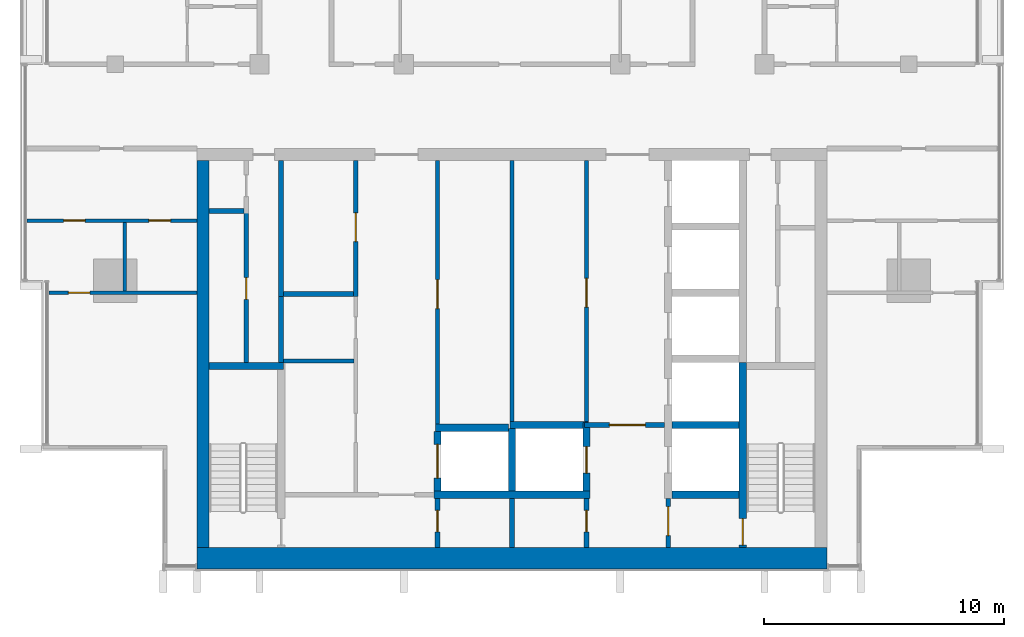
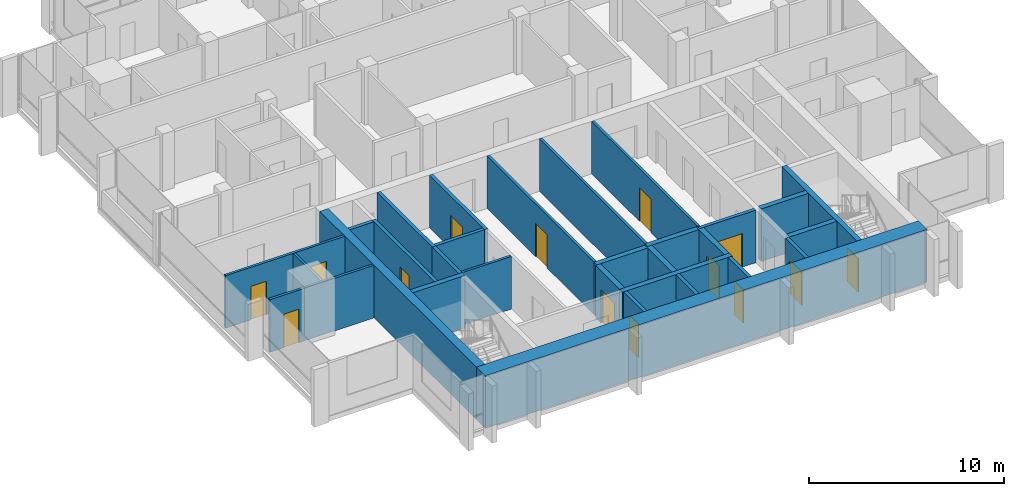
# One storey, part 7 of 16: 30 walls, 14 doors, 14 openings.
"""IFC4 building model written with IfcOpenShell, lengths in metres."""

import ifcopenshell
import ifcopenshell.guid

model = None  # the IFC model being written
_history = None  # IfcOwnerHistory: only IFC2X3 demands one
_inside = {}  # id of a spatial element -> (the spatial element, [elements in it])
_under = {}  # id of a project, library or spatial element -> (it, [spatial elements below it])
_declared = {}  # id of a project -> (the project, [libraries it declares])
_typed = {}  # id of a type object -> (the type object, [elements of that type])
_made_of = {}  # id of a material, layer set ... -> (it, [elements and type objects made of it])


def new_model(schema):
    """Start an empty IFC model of exactly this schema.

    Asked for "IFC4X3", IfcOpenShell would pick the latest addendum, in which some entities
    have other attributes; the version numbers below select the first issue.
    IFC2X3 requires an IfcOwnerHistory on every rooted entity: one is made here for all.
    """
    global model, _history
    if schema == "IFC4X3":
        model = ifcopenshell.file(schema_version=(4, 3, 0, 0))
    else:
        model = ifcopenshell.file(schema=schema)
    _inside.clear()
    _under.clear()
    _declared.clear()
    _typed.clear()
    _made_of.clear()
    _history = None
    if model.schema == "IFC2X3":
        org = make("IfcOrganization", Name="unknown")
        user = make(
            "IfcPersonAndOrganization",
            ThePerson=make("IfcPerson", FamilyName="unknown"),
            TheOrganization=org,
        )
        app = make(
            "IfcApplication",
            ApplicationDeveloper=org,
            Version="unknown",
            ApplicationFullName="unknown",
            ApplicationIdentifier="unknown",
        )
        _history = make(
            "IfcOwnerHistory",
            OwningUser=user,
            OwningApplication=app,
            ChangeAction="ADDED",
            CreationDate=0,
        )
    return model


def make(cls, **values):
    """One entity of the class cls with the attributes given. An attribute that is None is left unset."""
    return model.create_entity(
        cls, **{name: value for name, value in values.items() if value is not None}
    )


def rooted(cls, **values):
    """An entity with a GlobalId (a new one), such as an element, a storey or a relation."""
    return make(cls, GlobalId=ifcopenshell.guid.new(), OwnerHistory=_history, **values)


def si_unit(unit_type, name, prefix=None):
    """IfcSIUnit, for example si_unit("LENGTHUNIT", "METRE", prefix="MILLI")."""
    return make("IfcSIUnit", UnitType=unit_type, Prefix=prefix, Name=name)


def assignment(units):
    """IfcUnitAssignment: the units of a project."""
    return None if units is None else make("IfcUnitAssignment", Units=units)


def point(xyz):
    """IfcCartesianPoint."""
    return None if xyz is None else make("IfcCartesianPoint", Coordinates=xyz)


def direction(xyz):
    """IfcDirection."""
    return None if xyz is None else make("IfcDirection", DirectionRatios=xyz)


def frame(location, z_axis=None, x_axis=None):
    """IfcAxis2Placement3D, a coordinate frame: its origin and axes. An axis left out is left unset."""
    return make(
        "IfcAxis2Placement3D",
        Location=point(location),
        Axis=direction(z_axis),
        RefDirection=direction(x_axis),
    )


def frame_2d(location, x_axis=None):
    """IfcAxis2Placement2D, a coordinate frame in the plane: its origin and x axis."""
    return make(
        "IfcAxis2Placement2D", Location=point(location), RefDirection=direction(x_axis)
    )


def origin():
    """The frame at (0, 0, 0) with its axes left unset."""
    return frame((0.0, 0.0, 0.0))


def place(relative_to, where):
    """IfcLocalPlacement: puts the frame where relative to a parent placement (None: the world)."""
    return make(
        "IfcLocalPlacement", PlacementRelTo=relative_to, RelativePlacement=where
    )


def context(
    kind, dimensions, precision=None, world=None, true_north=None, identifier=None
):
    """IfcGeometricRepresentationContext, for example the 3D "Model" context."""
    return make(
        "IfcGeometricRepresentationContext",
        ContextIdentifier=identifier,
        ContextType=kind,
        CoordinateSpaceDimension=dimensions,
        Precision=precision,
        WorldCoordinateSystem=world,
        TrueNorth=true_north,
    )


def subcontext(parent, identifier, kind, view, scale=None):
    """IfcGeometricRepresentationSubContext, for example "Body" below "Model"."""
    return make(
        "IfcGeometricRepresentationSubContext",
        ContextIdentifier=identifier,
        ContextType=kind,
        ParentContext=parent,
        TargetScale=scale,
        TargetView=view,
    )


def project(units=None, contexts=None):
    """IfcProject with its units and contexts."""
    return rooted(
        "IfcProject",
        Name="project",
        RepresentationContexts=contexts,
        UnitsInContext=assignment(units),
    )


def spatial(cls, under=None, at=None, **own):
    """A site, building, storey or space (cls), placed at a placement, below another one or the project."""
    s = rooted(cls, ObjectPlacement=at, **own)
    if under is not None:
        _under.setdefault(under.id(), (under, []))[1].append(s)
    return s


def profile(cls, at=None, kind="AREA", **sizes):
    """A parametric profile (cls). Its sizes go by their IFC names, for example OverallWidth=200.0."""
    return make(cls, ProfileType=kind, Position=at, **sizes)


def rectangle(**sizes):
    """IfcRectangleProfileDef."""
    return profile("IfcRectangleProfileDef", **sizes)


def extrude(swept, where, along, depth):
    """IfcExtrudedAreaSolid: the profile swept, set in the frame where, extruded along a direction by depth."""
    return make(
        "IfcExtrudedAreaSolid",
        SweptArea=swept,
        Position=where,
        ExtrudedDirection=direction(along),
        Depth=depth,
    )


def shape(context_of_items, identifier, shape_type, items):
    """IfcShapeRepresentation: the items that make up one representation, for example the "Body"."""
    return make(
        "IfcShapeRepresentation",
        ContextOfItems=context_of_items,
        RepresentationIdentifier=identifier,
        RepresentationType=shape_type,
        Items=items,
    )


def material(Name=None, Category=None):
    """IfcMaterial."""
    return make("IfcMaterial", Name=Name, Category=Category)


def layer(
    of_material, thickness, ventilated=None, Name=None, Category=None, Priority=None
):
    """IfcMaterialLayer: one layer of a wall or slab, of a material (None: an air gap)."""
    return make(
        "IfcMaterialLayer",
        Material=of_material,
        LayerThickness=thickness,
        IsVentilated=ventilated,
        Name=Name,
        Category=Category,
        Priority=Priority,
    )


def layer_set(layers, Name=None):
    """IfcMaterialLayerSet."""
    return make("IfcMaterialLayerSet", MaterialLayers=layers, LayerSetName=Name)


def made_of(thing, what):
    """Note that an element or type object is made of a material, layer set ...; save() writes the relation."""
    if what is not None:
        _made_of.setdefault(what.id(), (what, []))[1].append(thing)
    return thing


def type_object(cls, material=None, **own):
    """A type object (cls), such as IfcWallType, which elements share."""
    return made_of(rooted(cls, **own), material)


def element(
    cls,
    number,
    at=None,
    inside=None,
    cuts=None,
    type_object=None,
    material=None,
    context=None,
    identifier="Body",
    shape_type=None,
    held_by="IfcProductDefinitionShape",
    body=None,
    shapes=None,
    **own,
):
    """One element of the class cls, such as IfcWall. Its Tag is "e" and its number.

    at: its placement. inside: the storey or other place that contains it. cuts: it is an
    opening in that element (IfcRelVoidsElement). A single representation is given by context,
    identifier, shape_type and body (its items); several are given by shapes. held_by: the class
    of the entity that holds the representations. save() writes the other relations.
    """
    e = rooted(cls, Tag="e%d" % number, ObjectPlacement=at, **own)
    if body is not None:
        shapes = [shape(context, identifier, shape_type, body)]
    if shapes is not None:
        e.Representation = make(held_by, Representations=shapes)
    if inside is not None:
        _inside.setdefault(inside.id(), (inside, []))[1].append(e)
    if cuts is not None:
        rooted(
            "IfcRelVoidsElement", RelatingBuildingElement=cuts, RelatedOpeningElement=e
        )
    if type_object is not None:
        _typed.setdefault(type_object.id(), (type_object, []))[1].append(e)
    return made_of(e, material)


def fill(opening, filler):
    """IfcRelFillsElement: the door or window that sits in an opening."""
    return rooted(
        "IfcRelFillsElement",
        RelatingOpeningElement=opening,
        RelatedBuildingElement=filler,
    )


def aggregate(whole, parts):
    """IfcRelAggregates: a whole, such as a stair, and the parts it consists of."""
    return rooted("IfcRelAggregates", RelatingObject=whole, RelatedObjects=parts)


def save(model, path):
    """Write the relations noted so far, then the file.

    IfcRelAggregates (storeys below a building ...), IfcRelContainedInSpatialStructure (elements
    in a storey), IfcRelDefinesByType, IfcRelAssociatesMaterial and IfcRelDeclares: one each for
    every whole, place, type object, material and project.
    """
    for whole, parts in _under.values():
        aggregate(whole, parts)
    for where, things in _inside.values():
        rooted(
            "IfcRelContainedInSpatialStructure",
            RelatedElements=things,
            RelatingStructure=where,
        )
    for kind, things in _typed.values():
        rooted("IfcRelDefinesByType", RelatedObjects=things, RelatingType=kind)
    for what, things in _made_of.values():
        rooted("IfcRelAssociatesMaterial", RelatedObjects=things, RelatingMaterial=what)
    for by, libraries in _declared.values():
        rooted("IfcRelDeclares", RelatingContext=by, RelatedDefinitions=libraries)
    model.write(path)


model = new_model("IFC4")

# Units and contexts
model_context = context("Model", 3, precision=1e-05, world=origin(), true_north=direction((0.0, 1.0)))
body_context = subcontext(model_context, "Body", "Model", "MODEL_VIEW")
ifc_project = project(units=[si_unit("LENGTHUNIT", "METRE"), si_unit("AREAUNIT", "SQUARE_METRE"), si_unit("VOLUMEUNIT", "CUBIC_METRE"), si_unit("PLANEANGLEUNIT", "RADIAN"), si_unit("MASSUNIT", "GRAM", prefix="KILO")], contexts=[model_context])

# Site, building, storey
site_placement = place(None, origin())
site = spatial("IfcSite", under=ifc_project, at=site_placement, CompositionType="ELEMENT")
building_placement = place(site_placement, origin())
building = spatial("IfcBuilding", under=site, at=building_placement, Name="Finial Court Residences", CompositionType="ELEMENT")
storey_placement = place(building_placement, frame((0.0, 0.0, 277.10009765625)))
storey = spatial("IfcBuildingStorey", under=building, at=storey_placement, Name="L70", CompositionType="ELEMENT", Elevation=277.10009765625)

# Walls
ifc_material_1 = material(Name="Concrete C50/60", Category="concrete")
ifc_layer_1 = layer(ifc_material_1, 0.5)
ifc_layer_set_1 = layer_set([ifc_layer_1], Name="Core outer wall 500 Concrete C50/60")
wall_type_1 = type_object("IfcWallType", Name="Core outer wall 500 Concrete C50/60", PredefinedType="SHEAR", material=ifc_layer_set_1)
wall_1_placement = place(storey_placement, frame((-12.85009765625, -24.60009765625, 0.0), z_axis=(0.0, 0.0, 1.0), x_axis=(0.0, 1.0, 0.0)))
element("IfcWall", 1, at=wall_1_placement, inside=storey, type_object=wall_type_1, Name="Core outer wall L70-03", PredefinedType="SHEAR", context=body_context, shape_type="SweptSolid", body=[
    extrude(rectangle(XDim=16.10009765625, YDim=0.5, at=frame_2d((8.050048828125, 0.0))), origin(), (0.0, 0.0, 1.0), 3.2998046875),
])
ifc_material_2 = material(Name="Fire-rated gypsum board partition")
ifc_layer_2 = layer(ifc_material_2, 0.14990234375)
ifc_layer_set_2 = layer_set([ifc_layer_2], Name="Core room partition 150 EI 60")
wall_type_2 = type_object("IfcWallType", Name="Core room partition 150 EI 60", PredefinedType="PARTITIONING", material=ifc_layer_set_2)
wall_2_placement = place(storey_placement, frame((-9.5, -16.840087890625, 0.0), z_axis=(0.0, 0.0, 1.0), x_axis=(1.0, 0.0, 0.0)))
element("IfcWall", 2, at=wall_2_placement, inside=storey, type_object=wall_type_2, Name="Core partition L70-10", PredefinedType="PARTITIONING", context=body_context, shape_type="SweptSolid", body=[
    extrude(rectangle(XDim=2.925048828125, YDim=0.14990234375, at=frame_2d((1.46240234375, 0.0))), origin(), (0.0, 0.0, 1.0), 3.2998046875),
])

# Wall, opening, door
wall_3_placement = place(storey_placement, frame((-3.10009765625, -8.5, 0.0), z_axis=(0.0, 0.0, 1.0), x_axis=(0.0, -1.0, 0.0)))
wall_3 = element("IfcWall", 3, at=wall_3_placement, inside=storey, type_object=wall_type_2, Name="Core partition L70-26", PredefinedType="PARTITIONING", context=body_context, shape_type="SweptSolid", body=[
    extrude(rectangle(XDim=10.969970703125, YDim=0.14990234375, at=frame_2d((5.48486328125, 0.0))), origin(), (0.0, 0.0, 1.0), 3.2998046875),
])
opening_1_placement = place(wall_3_placement, frame((4.9599609375, 0.0, 0.0)))
opening_1 = element("IfcOpeningElement", 4, at=opening_1_placement, cuts=wall_3, Name="Opening L70-C17", PredefinedType="OPENING", context=body_context, shape_type="SweptSolid", body=[
    extrude(rectangle(XDim=1.199951171875, YDim=2.10009765625, at=frame_2d((0.60009765625, 1.050048828125))), frame((0.0, 0.0849609375, 0.0), z_axis=(0.0, -1.0, 0.0), x_axis=(1.0, 0.0, 0.0)), (0.0, 0.0, 1.0), 0.169921875),
])
ifc_material_3 = material(Name="Steel fire door", Category="steel")
door_type_1 = type_object("IfcDoorType", Name="Core room door 1200 x 2100 EI 60", OperationType="NOTDEFINED", PredefinedType="DOOR", material=ifc_material_3)
door_1_placement = place(opening_1_placement, origin())
door_1 = element("IfcDoor", 5, at=door_1_placement, inside=storey, type_object=door_type_1, Name="Core room door L70-C17", OperationType="SINGLE_SWING_RIGHT", OverallHeight=2.10009765625, OverallWidth=1.199951171875, PredefinedType="DOOR", context=body_context, shape_type="SweptSolid", body=[
    extrude(rectangle(XDim=1.199951171875, YDim=2.10009765625, at=frame_2d((0.60009765625, 1.050048828125))), frame((0.0, 0.02490234375, 0.0), z_axis=(0.0, -1.0, 0.0), x_axis=(1.0, 0.0, 0.0)), (0.0, 0.0, 1.0), 0.050048828125),
])
fill(opening_1, door_1)

# Wall
wall_4_placement = place(storey_placement, frame((0.0, -19.35009765625, 0.0), z_axis=(0.0, 0.0, 1.0), x_axis=(0.0, 1.0, 0.0)))
element("IfcWall", 6, at=wall_4_placement, inside=storey, type_object=wall_type_2, Name="Core partition L70-29", PredefinedType="PARTITIONING", context=body_context, shape_type="SweptSolid", body=[
    extrude(rectangle(XDim=10.85009765625, YDim=0.14990234375, at=frame_2d((5.425048828125, 0.0))), origin(), (0.0, 0.0, 1.0), 3.2998046875),
])

# Wall, opening, door
wall_5_placement = place(storey_placement, frame((3.10009765625, -19.39990234375, 0.0), z_axis=(0.0, 0.0, 1.0), x_axis=(0.0, 1.0, 0.0)))
wall_5 = element("IfcWall", 7, at=wall_5_placement, inside=storey, type_object=wall_type_2, Name="Core partition L70-32", PredefinedType="PARTITIONING", context=body_context, shape_type="SweptSolid", body=[
    extrude(rectangle(XDim=10.89990234375, YDim=0.14990234375, at=frame_2d((5.449951171875, 0.0))), origin(), (0.0, 0.0, 1.0), 3.2998046875),
])
opening_2_placement = place(wall_5_placement, frame((4.800048828125, 0.0, 0.0)))
opening_2 = element("IfcOpeningElement", 8, at=opening_2_placement, cuts=wall_5, Name="Opening L70-C18", PredefinedType="OPENING", context=body_context, shape_type="SweptSolid", body=[
    extrude(rectangle(XDim=1.199951171875, YDim=2.10009765625, at=frame_2d((0.60009765625, 1.050048828125))), frame((0.0, 0.0849609375, 0.0), z_axis=(0.0, -1.0, 0.0), x_axis=(1.0, 0.0, 0.0)), (0.0, 0.0, 1.0), 0.169921875),
])
door_2_placement = place(opening_2_placement, origin())
door_2 = element("IfcDoor", 9, at=door_2_placement, inside=storey, type_object=door_type_1, Name="Core room door L70-C18", OperationType="SINGLE_SWING_LEFT", OverallHeight=2.10009765625, OverallWidth=1.199951171875, PredefinedType="DOOR", context=body_context, shape_type="SweptSolid", body=[
    extrude(rectangle(XDim=1.199951171875, YDim=2.10009765625, at=frame_2d((0.60009765625, 1.050048828125))), frame((0.0, 0.02490234375, 0.0), z_axis=(0.0, -1.0, 0.0), x_axis=(1.0, 0.0, 0.0)), (0.0, 0.0, 1.0), 0.050048828125),
])
fill(opening_2, door_2)

# Wall
ifc_layer_3 = layer(ifc_material_1, 0.89990234375)
ifc_layer_set_3 = layer_set([ifc_layer_3], Name="Core south facade wall 900 Concrete C50/60")
wall_type_3 = type_object("IfcWallType", Name="Core south facade wall 900 Concrete C50/60", PredefinedType="SHEAR", material=ifc_layer_set_3)
wall_6_placement = place(storey_placement, frame((-13.10009765625, -25.050048828125, 0.0), z_axis=(0.0, 0.0, 1.0), x_axis=(1.0, 0.0, 0.0)))
element("IfcWall", 10, at=wall_6_placement, inside=storey, type_object=wall_type_3, Name="Core outer wall L70-01", PredefinedType="SHEAR", context=body_context, shape_type="SweptSolid", body=[
    extrude(rectangle(XDim=26.2001953125, YDim=0.89990234375, at=frame_2d((13.10009765625, 0.0))), origin(), (0.0, 0.0, 1.0), 3.2998046875),
])

# Wall, opening, door
ifc_layer_4 = layer(ifc_material_2, 0.199951171875)
ifc_layer_set_4 = layer_set([ifc_layer_4], Name="Firefighting lobby wall 200 EI 120")
wall_type_4 = type_object("IfcWallType", Name="Firefighting lobby wall 200 EI 120", PredefinedType="PARTITIONING", material=ifc_layer_set_4)
wall_7_placement = place(storey_placement, frame((6.35009765625, -19.5, 0.0), z_axis=(0.0, 0.0, 1.0), x_axis=(-1.0, 0.0, 0.0)))
wall_7 = element("IfcWall", 11, at=wall_7_placement, inside=storey, type_object=wall_type_4, Name="Core partition L70-06", PredefinedType="PARTITIONING", context=body_context, shape_type="SweptSolid", body=[
    extrude(rectangle(XDim=3.3251953125, YDim=0.199951171875, at=frame_2d((1.66259765625, 0.0))), origin(), (0.0, 0.0, 1.0), 3.2998046875),
])
opening_3_placement = place(wall_7_placement, frame((0.800048828125, 0.0, 0.0)))
opening_3 = element("IfcOpeningElement", 12, at=opening_3_placement, cuts=wall_7, Name="Opening L70-C02", PredefinedType="OPENING", context=body_context, shape_type="SweptSolid", body=[
    extrude(rectangle(XDim=1.5, YDim=2.10009765625, at=frame_2d((0.75, 1.050048828125))), frame((0.0, 0.10986328125, 0.0), z_axis=(0.0, -1.0, 0.0), x_axis=(1.0, 0.0, 0.0)), (0.0, 0.0, 1.0), 0.219970703125),
])
door_type_2 = type_object("IfcDoorType", Name="Firefighting lobby door 1500 x 2100 EI 90", OperationType="DOUBLE_DOOR_SINGLE_SWING", PredefinedType="DOOR", material=ifc_material_3)
door_3_placement = place(opening_3_placement, origin())
door_3 = element("IfcDoor", 13, at=door_3_placement, inside=storey, type_object=door_type_2, Name="Firefighting lobby door L70-C02", OperationType="DOUBLE_DOOR_SINGLE_SWING", OverallHeight=2.10009765625, OverallWidth=1.5, PredefinedType="DOOR", context=body_context, shape_type="SweptSolid", body=[
    extrude(rectangle(XDim=1.5, YDim=2.10009765625, at=frame_2d((0.75, 1.050048828125))), frame((0.0, 0.02490234375, 0.0), z_axis=(0.0, -1.0, 0.0), x_axis=(1.0, 0.0, 0.0)), (0.0, 0.0, 1.0), 0.050048828125),
])
fill(opening_3, door_3)

wall_8_placement = place(storey_placement, frame((3.10009765625, -24.60009765625, 0.0), z_axis=(0.0, 0.0, 1.0), x_axis=(0.0, 1.0, 0.0)))
wall_8 = element("IfcWall", 14, at=wall_8_placement, inside=storey, type_object=wall_type_4, Name="Core partition L70-30", PredefinedType="PARTITIONING", context=body_context, shape_type="SweptSolid", body=[
    extrude(rectangle(XDim=2.050048828125, YDim=0.199951171875, at=frame_2d((1.02490234375, 0.0))), origin(), (0.0, 0.0, 1.0), 3.2998046875),
])
opening_4_placement = place(wall_8_placement, frame((0.64990234375, 0.0, 0.0)))
opening_4 = element("IfcOpeningElement", 15, at=opening_4_placement, cuts=wall_8, Name="Opening L70-C06", PredefinedType="OPENING", context=body_context, shape_type="SweptSolid", body=[
    extrude(rectangle(XDim=0.89990234375, YDim=2.10009765625, at=frame_2d((0.449951171875, 1.050048828125))), frame((0.0, 0.10986328125, 0.0), z_axis=(0.0, -1.0, 0.0), x_axis=(1.0, 0.0, 0.0)), (0.0, 0.0, 1.0), 0.219970703125),
])
door_type_3 = type_object("IfcDoorType", Name="Riser room door 900 x 2100 EI 90", OperationType="NOTDEFINED", PredefinedType="DOOR", material=ifc_material_3)
door_4_placement = place(opening_4_placement, origin())
door_4 = element("IfcDoor", 16, at=door_4_placement, inside=storey, type_object=door_type_3, Name="Riser room door L70-C06", OperationType="SINGLE_SWING_LEFT", OverallHeight=2.10009765625, OverallWidth=0.89990234375, PredefinedType="DOOR", context=body_context, shape_type="SweptSolid", body=[
    extrude(rectangle(XDim=0.89990234375, YDim=2.10009765625, at=frame_2d((0.449951171875, 1.050048828125))), frame((0.0, 0.02490234375, 0.0), z_axis=(0.0, -1.0, 0.0), x_axis=(1.0, 0.0, 0.0)), (0.0, 0.0, 1.0), 0.050048828125),
])
fill(opening_4, door_4)

wall_9_placement = place(storey_placement, frame((6.5, -22.550048828125, 0.0), z_axis=(0.0, 0.0, 1.0), x_axis=(0.0, -1.0, 0.0)))
wall_9 = element("IfcWall", 17, at=wall_9_placement, inside=storey, type_object=wall_type_4, Name="Core partition L70-33", PredefinedType="PARTITIONING", context=body_context, shape_type="SweptSolid", body=[
    extrude(rectangle(XDim=2.050048828125, YDim=0.199951171875, at=frame_2d((1.02490234375, 0.0))), origin(), (0.0, 0.0, 1.0), 3.2998046875),
])
opening_5_placement = place(wall_9_placement, frame((0.35009765625, 0.0, 0.0)))
opening_5 = element("IfcOpeningElement", 18, at=opening_5_placement, cuts=wall_9, Name="Opening L70-C01", PredefinedType="OPENING", context=body_context, shape_type="SweptSolid", body=[
    extrude(rectangle(XDim=1.199951171875, YDim=2.10009765625, at=frame_2d((0.60009765625, 1.050048828125))), frame((0.0, 0.10986328125, 0.0), z_axis=(0.0, -1.0, 0.0), x_axis=(1.0, 0.0, 0.0)), (0.0, 0.0, 1.0), 0.219970703125),
])
door_type_4 = type_object("IfcDoorType", Name="Firefighting lobby door 1200 x 2100 EI 90", OperationType="NOTDEFINED", PredefinedType="DOOR", material=ifc_material_3)
door_5_placement = place(opening_5_placement, origin())
door_5 = element("IfcDoor", 19, at=door_5_placement, inside=storey, type_object=door_type_4, Name="Firefighting lobby door L70-C01", OperationType="SINGLE_SWING_RIGHT", OverallHeight=2.10009765625, OverallWidth=1.199951171875, PredefinedType="DOOR", context=body_context, shape_type="SweptSolid", body=[
    extrude(rectangle(XDim=1.199951171875, YDim=2.10009765625, at=frame_2d((0.60009765625, 1.050048828125))), frame((0.0, 0.02490234375, 0.0), z_axis=(0.0, -1.0, 0.0), x_axis=(1.0, 0.0, 0.0)), (0.0, 0.0, 1.0), 0.050048828125),
])
fill(opening_5, door_5)

ifc_material_4 = material(Name="Moisture-resistant gypsum board")
ifc_layer_5 = layer(ifc_material_4, 0.012451171875)
ifc_material_5 = material(Name="Mineral wool in light-gauge frame")
ifc_layer_6 = layer(ifc_material_5, 0.125)
ifc_layer_7 = layer(ifc_material_4, 0.012451171875)
ifc_layer_set_5 = layer_set([ifc_layer_5, ifc_layer_6, ifc_layer_7], Name="Gypsum board wet-area partition 150")
wall_type_5 = type_object("IfcWallType", Name="Gypsum board wet-area partition 150", PredefinedType="PARTITIONING", material=ifc_layer_set_5)
wall_10_placement = place(storey_placement, frame((-19.262451171875, -14.0, 0.0), z_axis=(0.0, 0.0, 1.0), x_axis=(1.0, 0.0, 0.0)))
wall_10 = element("IfcWall", 20, at=wall_10_placement, inside=storey, type_object=wall_type_5, Name="Partition L70-000", PredefinedType="PARTITIONING", context=body_context, shape_type="SweptSolid", body=[
    extrude(rectangle(XDim=6.162353515625, YDim=0.14990234375, at=frame_2d((3.0810546875, 0.0))), origin(), (0.0, 0.0, 1.0), 3.2998046875),
])
opening_6_placement = place(wall_10_placement, frame((0.81201171875, 0.0, 0.0)))
opening_6 = element("IfcOpeningElement", 21, at=opening_6_placement, cuts=wall_10, Name="Opening L70-D001", PredefinedType="OPENING", context=body_context, shape_type="SweptSolid", body=[
    extrude(rectangle(XDim=0.89990234375, YDim=2.10009765625, at=frame_2d((0.449951171875, 1.050048828125))), frame((0.0, 0.0849609375, 0.0), z_axis=(0.0, -1.0, 0.0), x_axis=(1.0, 0.0, 0.0)), (0.0, 0.0, 1.0), 0.169921875),
])
ifc_material_6 = material(Name="Timber door leaf in timber frame", Category="wood")
door_type_5 = type_object("IfcDoorType", Name="Door set 900 x 2100", OperationType="SINGLE_SWING_LEFT", PredefinedType="DOOR", material=ifc_material_6)
door_6_placement = place(opening_6_placement, origin())
door_6 = element("IfcDoor", 22, at=door_6_placement, inside=storey, type_object=door_type_5, Name="Door L70-D001", OperationType="SINGLE_SWING_LEFT", OverallHeight=2.10009765625, OverallWidth=0.89990234375, PredefinedType="DOOR", context=body_context, shape_type="SweptSolid", body=[
    extrude(rectangle(XDim=0.89990234375, YDim=2.10009765625, at=frame_2d((0.449951171875, 1.050048828125))), frame((0.0, 0.02490234375, 0.0), z_axis=(0.0, -1.0, 0.0), x_axis=(1.0, 0.0, 0.0)), (0.0, 0.0, 1.0), 0.050048828125),
])
fill(opening_6, door_6)

# Wall, openings, doors
wall_11_placement = place(storey_placement, frame((-20.16259765625, -11.0, 0.0), z_axis=(0.0, 0.0, 1.0), x_axis=(1.0, 0.0, 0.0)))
wall_11 = element("IfcWall", 23, at=wall_11_placement, inside=storey, type_object=wall_type_5, Name="Partition L70-002", PredefinedType="PARTITIONING", context=body_context, shape_type="SweptSolid", body=[
    extrude(rectangle(XDim=7.0625, YDim=0.14990234375, at=frame_2d((3.53125, 0.0))), origin(), (0.0, 0.0, 1.0), 3.2998046875),
])
opening_7_placement = place(wall_11_placement, frame((1.512939453125, 0.0, 0.0)))
opening_7 = element("IfcOpeningElement", 24, at=opening_7_placement, cuts=wall_11, Name="Opening L70-D003", PredefinedType="OPENING", context=body_context, shape_type="SweptSolid", body=[
    extrude(rectangle(XDim=0.89990234375, YDim=2.10009765625, at=frame_2d((0.449951171875, 1.050048828125))), frame((0.0, 0.0849609375, 0.0), z_axis=(0.0, -1.0, 0.0), x_axis=(1.0, 0.0, 0.0)), (0.0, 0.0, 1.0), 0.169921875),
])
opening_8_placement = place(wall_11_placement, frame((5.06298828125, 0.0, 0.0)))
opening_8 = element("IfcOpeningElement", 25, at=opening_8_placement, cuts=wall_11, Name="Opening L70-D004", PredefinedType="OPENING", context=body_context, shape_type="SweptSolid", body=[
    extrude(rectangle(XDim=0.89990234375, YDim=2.10009765625, at=frame_2d((0.449951171875, 1.050048828125))), frame((0.0, 0.0849609375, 0.0), z_axis=(0.0, -1.0, 0.0), x_axis=(1.0, 0.0, 0.0)), (0.0, 0.0, 1.0), 0.169921875),
])
door_7_placement = place(opening_7_placement, origin())
door_7 = element("IfcDoor", 26, at=door_7_placement, inside=storey, type_object=door_type_5, Name="Door L70-D003", OperationType="SINGLE_SWING_LEFT", OverallHeight=2.10009765625, OverallWidth=0.89990234375, PredefinedType="DOOR", context=body_context, shape_type="SweptSolid", body=[
    extrude(rectangle(XDim=0.89990234375, YDim=2.10009765625, at=frame_2d((0.449951171875, 1.050048828125))), frame((0.0, 0.02490234375, 0.0), z_axis=(0.0, -1.0, 0.0), x_axis=(1.0, 0.0, 0.0)), (0.0, 0.0, 1.0), 0.050048828125),
])
fill(opening_7, door_7)
door_8_placement = place(opening_8_placement, origin())
door_8 = element("IfcDoor", 27, at=door_8_placement, inside=storey, type_object=door_type_5, Name="Door L70-D004", OperationType="SINGLE_SWING_RIGHT", OverallHeight=2.10009765625, OverallWidth=0.89990234375, PredefinedType="DOOR", context=body_context, shape_type="SweptSolid", body=[
    extrude(rectangle(XDim=0.89990234375, YDim=2.10009765625, at=frame_2d((0.449951171875, 1.050048828125))), frame((0.0, 0.02490234375, 0.0), z_axis=(0.0, -1.0, 0.0), x_axis=(1.0, 0.0, 0.0)), (0.0, 0.0, 1.0), 0.050048828125),
])
fill(opening_8, door_8)

# Walls
wall_12_placement = place(storey_placement, frame((-16.10009765625, -13.925048828125, 0.0), z_axis=(0.0, 0.0, 1.0), x_axis=(0.0, 1.0, 0.0)))
element("IfcWall", 28, at=wall_12_placement, inside=storey, type_object=wall_type_5, Name="Partition L70-031", PredefinedType="PARTITIONING", context=body_context, shape_type="SweptSolid", body=[
    extrude(rectangle(XDim=2.85009765625, YDim=0.14990234375, at=frame_2d((1.425048828125, 0.0))), origin(), (0.0, 0.0, 1.0), 3.2998046875),
])
ifc_layer_8 = layer(ifc_material_1, 0.300048828125)
ifc_layer_set_6 = layer_set([ifc_layer_8], Name="Lift shaft and stair wall 300 Concrete C50/60")
wall_type_6 = type_object("IfcWallType", Name="Lift shaft and stair wall 300 Concrete C50/60", PredefinedType="SHEAR", material=ifc_layer_set_6)
wall_13_placement = place(storey_placement, frame((-3.25, -22.39990234375, 0.0), z_axis=(0.0, 0.0, 1.0), x_axis=(1.0, 0.0, 0.0)))
element("IfcWall", 29, at=wall_13_placement, inside=storey, type_object=wall_type_6, Name="Core wall L70-02", PredefinedType="SHEAR", context=body_context, shape_type="SweptSolid", body=[
    extrude(rectangle(XDim=6.5, YDim=0.300048828125, at=frame_2d((3.25, 0.0))), origin(), (0.0, 0.0, 1.0), 3.2998046875),
])
wall_14_placement = place(storey_placement, frame((6.64990234375, -22.39990234375, 0.0), z_axis=(0.0, 0.0, 1.0), x_axis=(1.0, 0.0, 0.0)))
element("IfcWall", 30, at=wall_14_placement, inside=storey, type_object=wall_type_6, Name="Core wall L70-03", PredefinedType="SHEAR", context=body_context, shape_type="SweptSolid", body=[
    extrude(rectangle(XDim=2.800048828125, YDim=0.300048828125, at=frame_2d((1.39990234375, 0.0))), origin(), (0.0, 0.0, 1.0), 3.2998046875),
])
wall_15_placement = place(storey_placement, frame((-3.175048828125, -19.6201171875, 0.0), z_axis=(0.0, 0.0, 1.0), x_axis=(1.0, 0.0, 0.0)))
element("IfcWall", 31, at=wall_15_placement, inside=storey, type_object=wall_type_6, Name="Core wall L70-04", PredefinedType="SHEAR", context=body_context, shape_type="SweptSolid", body=[
    extrude(rectangle(XDim=3.025146484375, YDim=0.300048828125, at=frame_2d((1.5126953125, 0.0))), origin(), (0.0, 0.0, 1.0), 3.2998046875),
])
wall_16_placement = place(storey_placement, frame((-0.074951171875, -19.5, 0.0), z_axis=(0.0, 0.0, 1.0), x_axis=(1.0, 0.0, 0.0)))
element("IfcWall", 32, at=wall_16_placement, inside=storey, type_object=wall_type_6, Name="Core wall L70-05", PredefinedType="SHEAR", context=body_context, shape_type="SweptSolid", body=[
    extrude(rectangle(XDim=3.25, YDim=0.300048828125, at=frame_2d((1.625, 0.0))), origin(), (0.0, 0.0, 1.0), 3.2998046875),
])
wall_17_placement = place(storey_placement, frame((6.64990234375, -19.5, 0.0), z_axis=(0.0, 0.0, 1.0), x_axis=(1.0, 0.0, 0.0)))
element("IfcWall", 33, at=wall_17_placement, inside=storey, type_object=wall_type_6, Name="Core wall L70-07", PredefinedType="SHEAR", context=body_context, shape_type="SweptSolid", body=[
    extrude(rectangle(XDim=2.800048828125, YDim=0.300048828125, at=frame_2d((1.39990234375, 0.0))), origin(), (0.0, 0.0, 1.0), 3.2998046875),
])
wall_18_placement = place(storey_placement, frame((-12.60009765625, -17.050048828125, 0.0), z_axis=(0.0, 0.0, 1.0), x_axis=(1.0, 0.0, 0.0)))
element("IfcWall", 34, at=wall_18_placement, inside=storey, type_object=wall_type_6, Name="Core wall L70-08", PredefinedType="SHEAR", context=body_context, shape_type="SweptSolid", body=[
    extrude(rectangle(XDim=3.10009765625, YDim=0.300048828125, at=frame_2d((1.550048828125, 0.0))), origin(), (0.0, 0.0, 1.0), 3.2998046875),
])

# Wall, opening, door
wall_19_placement = place(storey_placement, frame((-3.10009765625, -22.25, 0.0), z_axis=(0.0, 0.0, 1.0), x_axis=(0.0, 1.0, 0.0)))
wall_19 = element("IfcWall", 35, at=wall_19_placement, inside=storey, type_object=wall_type_6, Name="Core wall L70-25", PredefinedType="SHEAR", context=body_context, shape_type="SweptSolid", body=[
    extrude(rectangle(XDim=2.47998046875, YDim=0.300048828125, at=frame_2d((1.239990234375, 0.0))), origin(), (0.0, 0.0, 1.0), 3.2998046875),
])
opening_9_placement = place(wall_19_placement, frame((0.5400390625, 0.0, 0.0)))
opening_9 = element("IfcOpeningElement", 36, at=opening_9_placement, cuts=wall_19, Name="Opening L70-LD07", PredefinedType="OPENING", context=body_context, shape_type="SweptSolid", body=[
    extrude(rectangle(XDim=1.39990234375, YDim=2.10009765625, at=frame_2d((0.699951171875, 1.050048828125))), frame((0.0, 0.159912109375, 0.0), z_axis=(0.0, -1.0, 0.0), x_axis=(1.0, 0.0, 0.0)), (0.0, 0.0, 1.0), 0.320068359375),
])
ifc_material_7 = material(Name="Stainless steel lift door", Category="steel")
door_type_6 = type_object("IfcDoorType", Name="Lift landing door 1400 x 2100 EI 90", OperationType="DOUBLE_DOOR_SLIDING", PredefinedType="DOOR", material=ifc_material_7)
door_9_placement = place(opening_9_placement, origin())
door_9 = element("IfcDoor", 37, at=door_9_placement, inside=storey, type_object=door_type_6, Name="Lift landing door SV1 L70", OperationType="DOUBLE_DOOR_SLIDING", OverallHeight=2.10009765625, OverallWidth=1.39990234375, PredefinedType="DOOR", context=body_context, shape_type="SweptSolid", body=[
    extrude(rectangle(XDim=1.39990234375, YDim=2.10009765625, at=frame_2d((0.699951171875, 1.050048828125))), frame((0.0, 0.02490234375, 0.0), z_axis=(0.0, -1.0, 0.0), x_axis=(1.0, 0.0, 0.0)), (0.0, 0.0, 1.0), 0.050048828125),
])
fill(opening_9, door_9)

# Wall
wall_20_placement = place(storey_placement, frame((0.0, -22.25, 0.0), z_axis=(0.0, 0.0, 1.0), x_axis=(0.0, 1.0, 0.0)))
element("IfcWall", 38, at=wall_20_placement, inside=storey, type_object=wall_type_6, Name="Core wall L70-28", PredefinedType="SHEAR", context=body_context, shape_type="SweptSolid", body=[
    extrude(rectangle(XDim=2.60009765625, YDim=0.300048828125, at=frame_2d((1.300048828125, 0.0))), origin(), (0.0, 0.0, 1.0), 3.2998046875),
])

# Wall, opening, door
wall_21_placement = place(storey_placement, frame((3.10009765625, -22.25, 0.0), z_axis=(0.0, 0.0, 1.0), x_axis=(0.0, 1.0, 0.0)))
wall_21 = element("IfcWall", 39, at=wall_21_placement, inside=storey, type_object=wall_type_6, Name="Core wall L70-31", PredefinedType="SHEAR", context=body_context, shape_type="SweptSolid", body=[
    extrude(rectangle(XDim=2.85009765625, YDim=0.300048828125, at=frame_2d((1.425048828125, 0.0))), origin(), (0.0, 0.0, 1.0), 3.2998046875),
])
opening_10_placement = place(wall_21_placement, frame((0.75, 0.0, 0.0)))
opening_10 = element("IfcOpeningElement", 40, at=opening_10_placement, cuts=wall_21, Name="Opening L70-LD01", PredefinedType="OPENING", context=body_context, shape_type="SweptSolid", body=[
    extrude(rectangle(XDim=1.10009765625, YDim=2.10009765625, at=frame_2d((0.550048828125, 1.050048828125))), frame((0.0, 0.159912109375, 0.0), z_axis=(0.0, -1.0, 0.0), x_axis=(1.0, 0.0, 0.0)), (0.0, 0.0, 1.0), 0.320068359375),
])
door_type_7 = type_object("IfcDoorType", Name="Lift landing door 1100 x 2100 EI 90", OperationType="DOUBLE_DOOR_SLIDING", PredefinedType="DOOR", material=ifc_material_7)
door_10_placement = place(opening_10_placement, origin())
door_10 = element("IfcDoor", 41, at=door_10_placement, inside=storey, type_object=door_type_7, Name="Lift landing door FF1 L70", OperationType="DOUBLE_DOOR_SLIDING", OverallHeight=2.10009765625, OverallWidth=1.10009765625, PredefinedType="DOOR", context=body_context, shape_type="SweptSolid", body=[
    extrude(rectangle(XDim=1.10009765625, YDim=2.10009765625, at=frame_2d((0.550048828125, 1.050048828125))), frame((0.0, 0.02490234375, 0.0), z_axis=(0.0, -1.0, 0.0), x_axis=(1.0, 0.0, 0.0)), (0.0, 0.0, 1.0), 0.050048828125),
])
fill(opening_10, door_10)

wall_22_placement = place(storey_placement, frame((9.60009765625, -16.89990234375, 0.0), z_axis=(0.0, 0.0, 1.0), x_axis=(0.0, -1.0, 0.0)))
wall_22 = element("IfcWall", 42, at=wall_22_placement, inside=storey, type_object=wall_type_6, Name="Core wall L70-35", PredefinedType="SHEAR", context=body_context, shape_type="SweptSolid", body=[
    extrude(rectangle(XDim=7.7001953125, YDim=0.300048828125, at=frame_2d((3.85009765625, 0.0))), origin(), (0.0, 0.0, 1.0), 3.2998046875),
])
opening_11_placement = place(wall_22_placement, frame((6.5, 0.0, 0.0)))
opening_11 = element("IfcOpeningElement", 43, at=opening_11_placement, cuts=wall_22, Name="Opening L70-C20", PredefinedType="OPENING", context=body_context, shape_type="SweptSolid", body=[
    extrude(rectangle(XDim=1.10009765625, YDim=2.10009765625, at=frame_2d((0.550048828125, 1.050048828125))), frame((0.0, 0.159912109375, 0.0), z_axis=(0.0, -1.0, 0.0), x_axis=(1.0, 0.0, 0.0)), (0.0, 0.0, 1.0), 0.320068359375),
])
door_type_8 = type_object("IfcDoorType", Name="Stair door 1100 x 2100 EI 90", OperationType="NOTDEFINED", PredefinedType="DOOR", material=ifc_material_3)
door_11_placement = place(opening_11_placement, origin())
door_11 = element("IfcDoor", 44, at=door_11_placement, inside=storey, type_object=door_type_8, Name="Stair door L70-C20", OperationType="SINGLE_SWING_RIGHT", OverallHeight=2.10009765625, OverallWidth=1.10009765625, PredefinedType="DOOR", context=body_context, shape_type="SweptSolid", body=[
    extrude(rectangle(XDim=1.10009765625, YDim=2.10009765625, at=frame_2d((0.550048828125, 1.050048828125))), frame((0.0, 0.02490234375, 0.0), z_axis=(0.0, -1.0, 0.0), x_axis=(1.0, 0.0, 0.0)), (0.0, 0.0, 1.0), 0.050048828125),
])
fill(opening_11, door_11)

# Walls
ifc_layer_9 = layer(ifc_material_2, 0.199951171875)
ifc_layer_set_7 = layer_set([ifc_layer_9], Name="Riser room wall 200 EI 120")
wall_type_7 = type_object("IfcWallType", Name="Riser room wall 200 EI 120", PredefinedType="PARTITIONING", material=ifc_layer_set_7)
wall_23_placement = place(storey_placement, frame((-9.5, -14.06005859375, 0.0), z_axis=(0.0, 0.0, 1.0), x_axis=(1.0, 0.0, 0.0)))
element("IfcWall", 45, at=wall_23_placement, inside=storey, type_object=wall_type_7, Name="Core partition L70-12", PredefinedType="PARTITIONING", context=body_context, shape_type="SweptSolid", body=[
    extrude(rectangle(XDim=2.89990234375, YDim=0.199951171875, at=frame_2d((1.449951171875, 0.0))), origin(), (0.0, 0.0, 1.0), 3.2998046875),
])
wall_24_placement = place(storey_placement, frame((-12.60009765625, -10.60009765625, 0.0), z_axis=(0.0, 0.0, 1.0), x_axis=(1.0, 0.0, 0.0)))
element("IfcWall", 46, at=wall_24_placement, inside=storey, type_object=wall_type_7, Name="Core partition L70-16", PredefinedType="PARTITIONING", context=body_context, shape_type="SweptSolid", body=[
    extrude(rectangle(XDim=1.4501953125, YDim=0.199951171875, at=frame_2d((0.72509765625, 0.0))), origin(), (0.0, 0.0, 1.0), 3.2998046875),
])
wall_25_placement = place(storey_placement, frame((-9.60009765625, -14.159912109375, 0.0), z_axis=(0.0, 0.0, 1.0), x_axis=(0.0, 1.0, 0.0)))
element("IfcWall", 47, at=wall_25_placement, inside=storey, type_object=wall_type_7, Name="Core partition L70-21", PredefinedType="PARTITIONING", context=body_context, shape_type="SweptSolid", body=[
    extrude(rectangle(XDim=5.659912109375, YDim=0.199951171875, at=frame_2d((2.830078125, 0.0))), origin(), (0.0, 0.0, 1.0), 3.2998046875),
])

# Wall, opening, door
wall_26_placement = place(storey_placement, frame((-6.5, -14.159912109375, 0.0), z_axis=(0.0, 0.0, 1.0), x_axis=(0.0, 1.0, 0.0)))
wall_26 = element("IfcWall", 48, at=wall_26_placement, inside=storey, type_object=wall_type_7, Name="Core partition L70-23", PredefinedType="PARTITIONING", context=body_context, shape_type="SweptSolid", body=[
    extrude(rectangle(XDim=5.659912109375, YDim=0.199951171875, at=frame_2d((2.830078125, 0.0))), origin(), (0.0, 0.0, 1.0), 3.2998046875),
])
opening_12_placement = place(wall_26_placement, frame((2.280029296875, 0.0, 0.0)))
opening_12 = element("IfcOpeningElement", 49, at=opening_12_placement, cuts=wall_26, Name="Opening L70-C09", PredefinedType="OPENING", context=body_context, shape_type="SweptSolid", body=[
    extrude(rectangle(XDim=1.199951171875, YDim=2.10009765625, at=frame_2d((0.60009765625, 1.050048828125))), frame((0.0, 0.10986328125, 0.0), z_axis=(0.0, -1.0, 0.0), x_axis=(1.0, 0.0, 0.0)), (0.0, 0.0, 1.0), 0.219970703125),
])
door_type_9 = type_object("IfcDoorType", Name="Riser room door 1200 x 2100 EI 90", OperationType="NOTDEFINED", PredefinedType="DOOR", material=ifc_material_3)
door_12_placement = place(opening_12_placement, origin())
door_12 = element("IfcDoor", 50, at=door_12_placement, inside=storey, type_object=door_type_9, Name="Riser room door L70-C09", OperationType="SINGLE_SWING_RIGHT", OverallHeight=2.10009765625, OverallWidth=1.199951171875, PredefinedType="DOOR", context=body_context, shape_type="SweptSolid", body=[
    extrude(rectangle(XDim=1.199951171875, YDim=2.10009765625, at=frame_2d((0.60009765625, 1.050048828125))), frame((0.0, 0.02490234375, 0.0), z_axis=(0.0, -1.0, 0.0), x_axis=(1.0, 0.0, 0.0)), (0.0, 0.0, 1.0), 0.050048828125),
])
fill(opening_12, door_12)

# Wall
wall_27_placement = place(storey_placement, frame((0.0, -24.60009765625, 0.0), z_axis=(0.0, 0.0, 1.0), x_axis=(0.0, 1.0, 0.0)))
element("IfcWall", 51, at=wall_27_placement, inside=storey, type_object=wall_type_7, Name="Core partition L70-27", PredefinedType="PARTITIONING", context=body_context, shape_type="SweptSolid", body=[
    extrude(rectangle(XDim=2.050048828125, YDim=0.199951171875, at=frame_2d((1.02490234375, 0.0))), origin(), (0.0, 0.0, 1.0), 3.2998046875),
])

# Wall, opening, door
ifc_layer_10 = layer(ifc_material_2, 0.199951171875)
ifc_layer_set_8 = layer_set([ifc_layer_10], Name="Stair passage wall 200 EI 180")
wall_type_8 = type_object("IfcWallType", Name="Stair passage wall 200 EI 180", PredefinedType="PARTITIONING", material=ifc_layer_set_8)
wall_28_placement = place(storey_placement, frame((-11.050048828125, -16.89990234375, 0.0), z_axis=(0.0, 0.0, 1.0), x_axis=(0.0, 1.0, 0.0)))
wall_28 = element("IfcWall", 52, at=wall_28_placement, inside=storey, type_object=wall_type_8, Name="Core partition L70-17", PredefinedType="PARTITIONING", context=body_context, shape_type="SweptSolid", body=[
    extrude(rectangle(XDim=6.39990234375, YDim=0.199951171875, at=frame_2d((3.199951171875, 0.0))), origin(), (0.0, 0.0, 1.0), 3.2998046875),
])
opening_13_placement = place(wall_28_placement, frame((2.625, 0.0, 0.0)))
opening_13 = element("IfcOpeningElement", 53, at=opening_13_placement, cuts=wall_28, Name="Opening L70-C13", PredefinedType="OPENING", context=body_context, shape_type="SweptSolid", body=[
    extrude(rectangle(XDim=0.89990234375, YDim=2.10009765625, at=frame_2d((0.449951171875, 1.050048828125))), frame((0.0, 0.10986328125, 0.0), z_axis=(0.0, -1.0, 0.0), x_axis=(1.0, 0.0, 0.0)), (0.0, 0.0, 1.0), 0.219970703125),
])
door_type_10 = type_object("IfcDoorType", Name="Core room door 900 x 2100 EI 60", OperationType="NOTDEFINED", PredefinedType="DOOR", material=ifc_material_3)
door_13_placement = place(opening_13_placement, origin())
door_13 = element("IfcDoor", 54, at=door_13_placement, inside=storey, type_object=door_type_10, Name="Core room door L70-C13", OperationType="SINGLE_SWING_RIGHT", OverallHeight=2.10009765625, OverallWidth=0.89990234375, PredefinedType="DOOR", context=body_context, shape_type="SweptSolid", body=[
    extrude(rectangle(XDim=0.89990234375, YDim=2.10009765625, at=frame_2d((0.449951171875, 1.050048828125))), frame((0.0, 0.02490234375, 0.0), z_axis=(0.0, -1.0, 0.0), x_axis=(1.0, 0.0, 0.0)), (0.0, 0.0, 1.0), 0.050048828125),
])
fill(opening_13, door_13)

# Wall
wall_29_placement = place(storey_placement, frame((-9.60009765625, -16.89990234375, 0.0), z_axis=(0.0, 0.0, 1.0), x_axis=(0.0, 1.0, 0.0)))
element("IfcWall", 55, at=wall_29_placement, inside=storey, type_object=wall_type_8, Name="Core partition L70-20", PredefinedType="PARTITIONING", context=body_context, shape_type="SweptSolid", body=[
    extrude(rectangle(XDim=2.739990234375, YDim=0.199951171875, at=frame_2d((1.3701171875, 0.0))), origin(), (0.0, 0.0, 1.0), 3.2998046875),
])

# Wall, opening, door
wall_30_placement = place(storey_placement, frame((-3.10009765625, -22.550048828125, 0.0), z_axis=(0.0, 0.0, 1.0), x_axis=(0.0, -1.0, 0.0)))
wall_30 = element("IfcWall", 56, at=wall_30_placement, inside=storey, type_object=wall_type_8, Name="Core partition L70-24", PredefinedType="PARTITIONING", context=body_context, shape_type="SweptSolid", body=[
    extrude(rectangle(XDim=2.050048828125, YDim=0.199951171875, at=frame_2d((1.02490234375, 0.0))), origin(), (0.0, 0.0, 1.0), 3.2998046875),
])
opening_14_placement = place(wall_30_placement, frame((0.5, 0.0, 0.0)))
opening_14 = element("IfcOpeningElement", 57, at=opening_14_placement, cuts=wall_30, Name="Opening L70-C12", PredefinedType="OPENING", context=body_context, shape_type="SweptSolid", body=[
    extrude(rectangle(XDim=0.89990234375, YDim=2.10009765625, at=frame_2d((0.449951171875, 1.050048828125))), frame((0.0, 0.10986328125, 0.0), z_axis=(0.0, -1.0, 0.0), x_axis=(1.0, 0.0, 0.0)), (0.0, 0.0, 1.0), 0.219970703125),
])
door_14_placement = place(opening_14_placement, origin())
door_14 = element("IfcDoor", 58, at=door_14_placement, inside=storey, type_object=door_type_10, Name="Core room door L70-C12", OperationType="SINGLE_SWING_RIGHT", OverallHeight=2.10009765625, OverallWidth=0.89990234375, PredefinedType="DOOR", context=body_context, shape_type="SweptSolid", body=[
    extrude(rectangle(XDim=0.89990234375, YDim=2.10009765625, at=frame_2d((0.449951171875, 1.050048828125))), frame((0.0, 0.02490234375, 0.0), z_axis=(0.0, -1.0, 0.0), x_axis=(1.0, 0.0, 0.0)), (0.0, 0.0, 1.0), 0.050048828125),
])
fill(opening_14, door_14)

save(model, "model.ifc")
